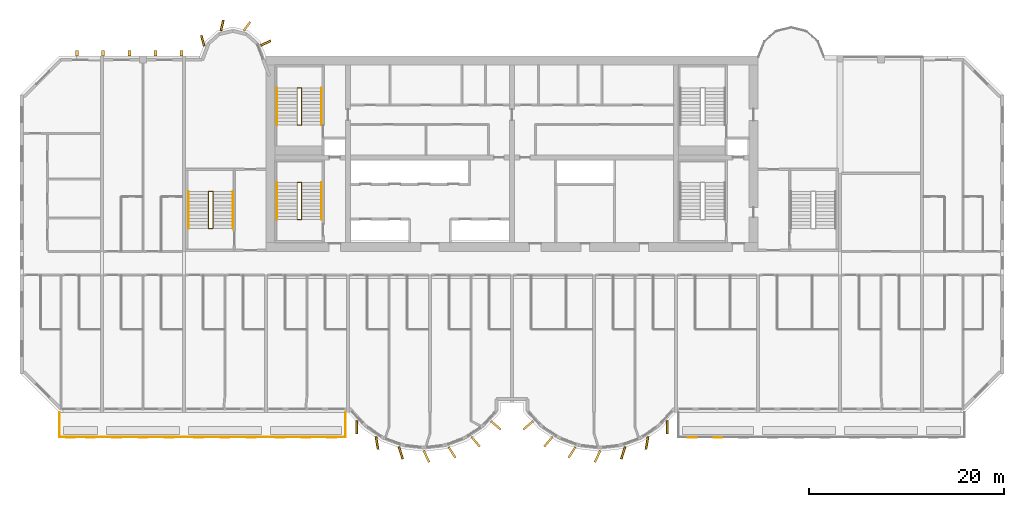
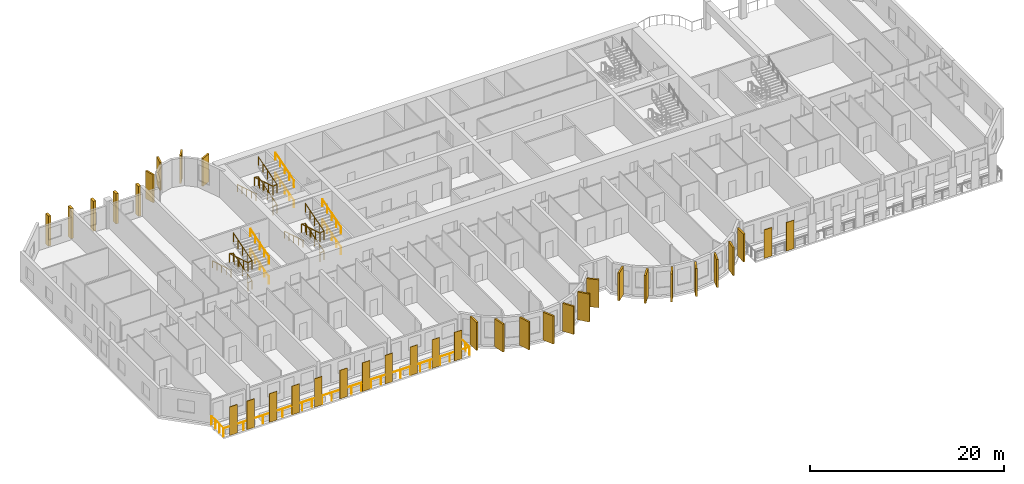
# One storey, part 13 of 15: 36 coverings, 13 railings.
"""IFC4 building model written with IfcOpenShell, lengths in metres."""

import ifcopenshell
import ifcopenshell.guid

model = None  # the IFC model being written
_history = None  # IfcOwnerHistory: only IFC2X3 demands one
_inside = {}  # id of a spatial element -> (the spatial element, [elements in it])
_under = {}  # id of a project, library or spatial element -> (it, [spatial elements below it])
_declared = {}  # id of a project -> (the project, [libraries it declares])
_typed = {}  # id of a type object -> (the type object, [elements of that type])
_made_of = {}  # id of a material, layer set ... -> (it, [elements and type objects made of it])


def new_model(schema):
    """Start an empty IFC model of exactly this schema.

    Asked for "IFC4X3", IfcOpenShell would pick the latest addendum, in which some entities
    have other attributes; the version numbers below select the first issue.
    IFC2X3 requires an IfcOwnerHistory on every rooted entity: one is made here for all.
    """
    global model, _history
    if schema == "IFC4X3":
        model = ifcopenshell.file(schema_version=(4, 3, 0, 0))
    else:
        model = ifcopenshell.file(schema=schema)
    _inside.clear()
    _under.clear()
    _declared.clear()
    _typed.clear()
    _made_of.clear()
    _history = None
    if model.schema == "IFC2X3":
        org = make("IfcOrganization", Name="unknown")
        user = make(
            "IfcPersonAndOrganization",
            ThePerson=make("IfcPerson", FamilyName="unknown"),
            TheOrganization=org,
        )
        app = make(
            "IfcApplication",
            ApplicationDeveloper=org,
            Version="unknown",
            ApplicationFullName="unknown",
            ApplicationIdentifier="unknown",
        )
        _history = make(
            "IfcOwnerHistory",
            OwningUser=user,
            OwningApplication=app,
            ChangeAction="ADDED",
            CreationDate=0,
        )
    return model


def make(cls, **values):
    """One entity of the class cls with the attributes given. An attribute that is None is left unset."""
    return model.create_entity(
        cls, **{name: value for name, value in values.items() if value is not None}
    )


def rooted(cls, **values):
    """An entity with a GlobalId (a new one), such as an element, a storey or a relation."""
    return make(cls, GlobalId=ifcopenshell.guid.new(), OwnerHistory=_history, **values)


def si_unit(unit_type, name, prefix=None):
    """IfcSIUnit, for example si_unit("LENGTHUNIT", "METRE", prefix="MILLI")."""
    return make("IfcSIUnit", UnitType=unit_type, Prefix=prefix, Name=name)


def assignment(units):
    """IfcUnitAssignment: the units of a project."""
    return None if units is None else make("IfcUnitAssignment", Units=units)


def point(xyz):
    """IfcCartesianPoint."""
    return None if xyz is None else make("IfcCartesianPoint", Coordinates=xyz)


def direction(xyz):
    """IfcDirection."""
    return None if xyz is None else make("IfcDirection", DirectionRatios=xyz)


def frame(location, z_axis=None, x_axis=None):
    """IfcAxis2Placement3D, a coordinate frame: its origin and axes. An axis left out is left unset."""
    return make(
        "IfcAxis2Placement3D",
        Location=point(location),
        Axis=direction(z_axis),
        RefDirection=direction(x_axis),
    )


def frame_2d(location, x_axis=None):
    """IfcAxis2Placement2D, a coordinate frame in the plane: its origin and x axis."""
    return make(
        "IfcAxis2Placement2D", Location=point(location), RefDirection=direction(x_axis)
    )


def origin():
    """The frame at (0, 0, 0) with its axes left unset."""
    return frame((0.0, 0.0, 0.0))


def origin_2d():
    """The frame at (0, 0) in the plane with its x axis left unset."""
    return frame_2d((0.0, 0.0))


def place(relative_to, where):
    """IfcLocalPlacement: puts the frame where relative to a parent placement (None: the world)."""
    return make(
        "IfcLocalPlacement", PlacementRelTo=relative_to, RelativePlacement=where
    )


def context(
    kind, dimensions, precision=None, world=None, true_north=None, identifier=None
):
    """IfcGeometricRepresentationContext, for example the 3D "Model" context."""
    return make(
        "IfcGeometricRepresentationContext",
        ContextIdentifier=identifier,
        ContextType=kind,
        CoordinateSpaceDimension=dimensions,
        Precision=precision,
        WorldCoordinateSystem=world,
        TrueNorth=true_north,
    )


def subcontext(parent, identifier, kind, view, scale=None):
    """IfcGeometricRepresentationSubContext, for example "Body" below "Model"."""
    return make(
        "IfcGeometricRepresentationSubContext",
        ContextIdentifier=identifier,
        ContextType=kind,
        ParentContext=parent,
        TargetScale=scale,
        TargetView=view,
    )


def project(units=None, contexts=None):
    """IfcProject with its units and contexts."""
    return rooted(
        "IfcProject",
        Name="project",
        RepresentationContexts=contexts,
        UnitsInContext=assignment(units),
    )


def spatial(cls, under=None, at=None, **own):
    """A site, building, storey or space (cls), placed at a placement, below another one or the project."""
    s = rooted(cls, ObjectPlacement=at, **own)
    if under is not None:
        _under.setdefault(under.id(), (under, []))[1].append(s)
    return s


def profile(cls, at=None, kind="AREA", **sizes):
    """A parametric profile (cls). Its sizes go by their IFC names, for example OverallWidth=200.0."""
    return make(cls, ProfileType=kind, Position=at, **sizes)


def rectangle(**sizes):
    """IfcRectangleProfileDef."""
    return profile("IfcRectangleProfileDef", **sizes)


def circle(**sizes):
    """IfcCircleProfileDef."""
    return profile("IfcCircleProfileDef", **sizes)


def extrude(swept, where, along, depth):
    """IfcExtrudedAreaSolid: the profile swept, set in the frame where, extruded along a direction by depth."""
    return make(
        "IfcExtrudedAreaSolid",
        SweptArea=swept,
        Position=where,
        ExtrudedDirection=direction(along),
        Depth=depth,
    )


def shape(context_of_items, identifier, shape_type, items):
    """IfcShapeRepresentation: the items that make up one representation, for example the "Body"."""
    return make(
        "IfcShapeRepresentation",
        ContextOfItems=context_of_items,
        RepresentationIdentifier=identifier,
        RepresentationType=shape_type,
        Items=items,
    )


def source(mapping_origin, context_of_items, identifier, shape_type, items):
    """IfcRepresentationMap: a shape defined once, which mapped items show again and again."""
    return make(
        "IfcRepresentationMap",
        MappingOrigin=mapping_origin,
        MappedRepresentation=shape(context_of_items, identifier, shape_type, items),
    )


def transform(
    local_origin,
    x_axis=None,
    y_axis=None,
    z_axis=None,
    scale=None,
    scale2=None,
    scale3=None,
    uniform=True,
):
    """IfcCartesianTransformationOperator3D, or its non-uniform kind. x_axis, y_axis, z_axis: its Axis1, 2, 3."""
    if uniform:
        return make(
            "IfcCartesianTransformationOperator3D",
            Axis1=direction(x_axis),
            Axis2=direction(y_axis),
            LocalOrigin=point(local_origin),
            Scale=scale,
            Axis3=direction(z_axis),
        )
    return make(
        "IfcCartesianTransformationOperator3DnonUniform",
        Axis1=direction(x_axis),
        Axis2=direction(y_axis),
        LocalOrigin=point(local_origin),
        Scale=scale,
        Axis3=direction(z_axis),
        Scale2=scale2,
        Scale3=scale3,
    )


def mapped(mapping_source, mapping_target):
    """IfcMappedItem: shows the shape of a source again, moved by a transform."""
    return make(
        "IfcMappedItem", MappingSource=mapping_source, MappingTarget=mapping_target
    )


def material(Name=None, Category=None):
    """IfcMaterial."""
    return make("IfcMaterial", Name=Name, Category=Category)


def layer(
    of_material, thickness, ventilated=None, Name=None, Category=None, Priority=None
):
    """IfcMaterialLayer: one layer of a wall or slab, of a material (None: an air gap)."""
    return make(
        "IfcMaterialLayer",
        Material=of_material,
        LayerThickness=thickness,
        IsVentilated=ventilated,
        Name=Name,
        Category=Category,
        Priority=Priority,
    )


def layer_set(layers, Name=None):
    """IfcMaterialLayerSet."""
    return make("IfcMaterialLayerSet", MaterialLayers=layers, LayerSetName=Name)


def material_profile(
    of_material, cross_section, Name=None, Category=None, Priority=None
):
    """IfcMaterialProfile: a cross section and its material."""
    return make(
        "IfcMaterialProfile",
        Name=Name,
        Material=of_material,
        Profile=cross_section,
        Priority=Priority,
        Category=Category,
    )


def profile_set(profiles, Name=None, composite=None):
    """IfcMaterialProfileSet."""
    return make(
        "IfcMaterialProfileSet",
        Name=Name,
        MaterialProfiles=profiles,
        CompositeProfile=composite,
    )


def made_of(thing, what):
    """Note that an element or type object is made of a material, layer set ...; save() writes the relation."""
    if what is not None:
        _made_of.setdefault(what.id(), (what, []))[1].append(thing)
    return thing


def type_object(cls, material=None, **own):
    """A type object (cls), such as IfcWallType, which elements share."""
    return made_of(rooted(cls, **own), material)


def element(
    cls,
    number,
    at=None,
    inside=None,
    cuts=None,
    type_object=None,
    material=None,
    context=None,
    identifier="Body",
    shape_type=None,
    held_by="IfcProductDefinitionShape",
    body=None,
    shapes=None,
    **own,
):
    """One element of the class cls, such as IfcWall. Its Tag is "e" and its number.

    at: its placement. inside: the storey or other place that contains it. cuts: it is an
    opening in that element (IfcRelVoidsElement). A single representation is given by context,
    identifier, shape_type and body (its items); several are given by shapes. held_by: the class
    of the entity that holds the representations. save() writes the other relations.
    """
    e = rooted(cls, Tag="e%d" % number, ObjectPlacement=at, **own)
    if body is not None:
        shapes = [shape(context, identifier, shape_type, body)]
    if shapes is not None:
        e.Representation = make(held_by, Representations=shapes)
    if inside is not None:
        _inside.setdefault(inside.id(), (inside, []))[1].append(e)
    if cuts is not None:
        rooted(
            "IfcRelVoidsElement", RelatingBuildingElement=cuts, RelatedOpeningElement=e
        )
    if type_object is not None:
        _typed.setdefault(type_object.id(), (type_object, []))[1].append(e)
    return made_of(e, material)


def aggregate(whole, parts):
    """IfcRelAggregates: a whole, such as a stair, and the parts it consists of."""
    return rooted("IfcRelAggregates", RelatingObject=whole, RelatedObjects=parts)


def save(model, path):
    """Write the relations noted so far, then the file.

    IfcRelAggregates (storeys below a building ...), IfcRelContainedInSpatialStructure (elements
    in a storey), IfcRelDefinesByType, IfcRelAssociatesMaterial and IfcRelDeclares: one each for
    every whole, place, type object, material and project.
    """
    for whole, parts in _under.values():
        aggregate(whole, parts)
    for where, things in _inside.values():
        rooted(
            "IfcRelContainedInSpatialStructure",
            RelatedElements=things,
            RelatingStructure=where,
        )
    for kind, things in _typed.values():
        rooted("IfcRelDefinesByType", RelatedObjects=things, RelatingType=kind)
    for what, things in _made_of.values():
        rooted("IfcRelAssociatesMaterial", RelatedObjects=things, RelatingMaterial=what)
    for by, libraries in _declared.values():
        rooted("IfcRelDeclares", RelatingContext=by, RelatedDefinitions=libraries)
    model.write(path)


model = new_model("IFC4")

# Units and contexts
model_context = context("Model", 3, precision=1e-05, world=origin(), true_north=direction((0.0, 1.0)))
body_context = subcontext(model_context, "Body", "Model", "MODEL_VIEW")
ifc_project = project(units=[si_unit("LENGTHUNIT", "METRE"), si_unit("AREAUNIT", "SQUARE_METRE"), si_unit("VOLUMEUNIT", "CUBIC_METRE"), si_unit("PLANEANGLEUNIT", "RADIAN"), si_unit("MASSUNIT", "GRAM", prefix="KILO")], contexts=[model_context])

# Site, building, storey
site_placement = place(None, origin())
site = spatial("IfcSite", under=ifc_project, at=site_placement, CompositionType="ELEMENT")
building_placement = place(site_placement, origin())
building = spatial("IfcBuilding", under=site, at=building_placement, Name="Vanashikhar Sky Hotel", CompositionType="ELEMENT")
storey_placement = place(building_placement, frame((0.0, 0.0, 106.60009765625)))
storey = spatial("IfcBuildingStorey", under=building, at=storey_placement, Name="L25", CompositionType="ELEMENT", Elevation=106.60009765625)

# Railing
ifc_material_1 = material(Name="Stainless steel 316", Category="steel")
railing_type_1 = type_object("IfcRailingType", Name="Balcony guard 1100", PredefinedType="GUARDRAIL", material=ifc_material_1)
shared_shape_1 = source(origin(), body_context, "Body", "SweptSolid", [
    extrude(circle(Radius=0.02392578125, at=origin_2d()), frame((0.0, 0.0, 1.076171875), z_axis=(0.0, -1.0, 0.0), x_axis=(1.0, 0.0, 0.0)), (0.0, 0.0, 1.0), 2.5),
    extrude(circle(Radius=0.02392578125, at=origin_2d()), frame((0.0, -2.5, 1.076171875), z_axis=(1.0, 0.0, 0.0), x_axis=(0.0, 1.0, 0.0)), (0.0, 0.0, 1.0), 29.280029296875),
    extrude(circle(Radius=0.02392578125, at=origin_2d()), frame((29.280029296875, -2.5, 1.076171875), z_axis=(0.0, 1.0, 0.0), x_axis=(-1.0, 0.0, 0.0)), (0.0, 0.0, 1.0), 2.5),
    extrude(circle(Radius=0.02099609375, at=origin_2d()), origin(), (0.0, 0.0, 1.0), 1.052001953125),
    extrude(circle(Radius=0.02099609375, at=origin_2d()), frame((0.0, -0.833251953125, 0.0)), (0.0, 0.0, 1.0), 1.052001953125),
    extrude(circle(Radius=0.02099609375, at=origin_2d()), frame((0.0, -1.666748046875, 0.0)), (0.0, 0.0, 1.0), 1.052001953125),
    extrude(circle(Radius=0.02099609375, at=origin_2d()), frame((0.0, -2.5, 0.0)), (0.0, 0.0, 1.0), 1.052001953125),
    extrude(circle(Radius=0.02099609375, at=origin_2d()), frame((1.171142578125, -2.5, 0.0)), (0.0, 0.0, 1.0), 1.052001953125),
    extrude(circle(Radius=0.02099609375, at=origin_2d()), frame((2.34228515625, -2.5, 0.0)), (0.0, 0.0, 1.0), 1.052001953125),
    extrude(circle(Radius=0.02099609375, at=origin_2d()), frame((3.513671875, -2.5, 0.0)), (0.0, 0.0, 1.0), 1.052001953125),
    extrude(circle(Radius=0.02099609375, at=origin_2d()), frame((4.684814453125, -2.5, 0.0)), (0.0, 0.0, 1.0), 1.052001953125),
    extrude(circle(Radius=0.02099609375, at=origin_2d()), frame((5.85595703125, -2.5, 0.0)), (0.0, 0.0, 1.0), 1.052001953125),
    extrude(circle(Radius=0.02099609375, at=origin_2d()), frame((7.027099609375, -2.5, 0.0)), (0.0, 0.0, 1.0), 1.052001953125),
    extrude(circle(Radius=0.02099609375, at=origin_2d()), frame((8.198486328125, -2.5, 0.0)), (0.0, 0.0, 1.0), 1.052001953125),
    extrude(circle(Radius=0.02099609375, at=origin_2d()), frame((9.36962890625, -2.5, 0.0)), (0.0, 0.0, 1.0), 1.052001953125),
    extrude(circle(Radius=0.02099609375, at=origin_2d()), frame((10.540771484375, -2.5, 0.0)), (0.0, 0.0, 1.0), 1.052001953125),
    extrude(circle(Radius=0.02099609375, at=origin_2d()), frame((11.7119140625, -2.5, 0.0)), (0.0, 0.0, 1.0), 1.052001953125),
    extrude(circle(Radius=0.02099609375, at=origin_2d()), frame((12.88330078125, -2.5, 0.0)), (0.0, 0.0, 1.0), 1.052001953125),
    extrude(circle(Radius=0.02099609375, at=origin_2d()), frame((14.054443359375, -2.5, 0.0)), (0.0, 0.0, 1.0), 1.052001953125),
    extrude(circle(Radius=0.02099609375, at=origin_2d()), frame((15.2255859375, -2.5, 0.0)), (0.0, 0.0, 1.0), 1.052001953125),
    extrude(circle(Radius=0.02099609375, at=origin_2d()), frame((16.396728515625, -2.5, 0.0)), (0.0, 0.0, 1.0), 1.052001953125),
    extrude(circle(Radius=0.02099609375, at=origin_2d()), frame((17.568115234375, -2.5, 0.0)), (0.0, 0.0, 1.0), 1.052001953125),
    extrude(circle(Radius=0.02099609375, at=origin_2d()), frame((18.7392578125, -2.5, 0.0)), (0.0, 0.0, 1.0), 1.052001953125),
    extrude(circle(Radius=0.02099609375, at=origin_2d()), frame((19.910400390625, -2.5, 0.0)), (0.0, 0.0, 1.0), 1.052001953125),
    extrude(circle(Radius=0.02099609375, at=origin_2d()), frame((21.08154296875, -2.5, 0.0)), (0.0, 0.0, 1.0), 1.052001953125),
    extrude(circle(Radius=0.02099609375, at=origin_2d()), frame((22.2529296875, -2.5, 0.0)), (0.0, 0.0, 1.0), 1.052001953125),
    extrude(circle(Radius=0.02099609375, at=origin_2d()), frame((23.424072265625, -2.5, 0.0)), (0.0, 0.0, 1.0), 1.052001953125),
    extrude(circle(Radius=0.02099609375, at=origin_2d()), frame((24.59521484375, -2.5, 0.0)), (0.0, 0.0, 1.0), 1.052001953125),
    extrude(circle(Radius=0.02099609375, at=origin_2d()), frame((25.766357421875, -2.5, 0.0)), (0.0, 0.0, 1.0), 1.052001953125),
    extrude(circle(Radius=0.02099609375, at=origin_2d()), frame((26.937744140625, -2.5, 0.0)), (0.0, 0.0, 1.0), 1.052001953125),
    extrude(circle(Radius=0.02099609375, at=origin_2d()), frame((28.10888671875, -2.5, 0.0)), (0.0, 0.0, 1.0), 1.052001953125),
    extrude(circle(Radius=0.02099609375, at=origin_2d()), frame((29.280029296875, -2.5, 0.0)), (0.0, 0.0, 1.0), 1.052001953125),
    extrude(circle(Radius=0.02099609375, at=origin_2d()), frame((29.280029296875, -1.666748046875, 0.0)), (0.0, 0.0, 1.0), 1.052001953125),
    extrude(circle(Radius=0.02099609375, at=origin_2d()), frame((29.280029296875, -0.833251953125, 0.0)), (0.0, 0.0, 1.0), 1.052001953125),
    extrude(circle(Radius=0.02099609375, at=origin_2d()), frame((29.280029296875, 0.0, 0.0)), (0.0, 0.0, 1.0), 1.052001953125),
])
railing_1_placement = place(storey_placement, frame((4.06005859375, 5.5, -0.050048828125)))
element("IfcRailing", 1, at=railing_1_placement, inside=storey, type_object=railing_type_1, Name="Balcony guard", PredefinedType="GUARDRAIL", context=body_context, shape_type="MappedRepresentation", body=[
    mapped(shared_shape_1, transform((0.0, 0.0, 0.0), scale=1.0)),
])

# Coverings
ifc_material_2 = material(Name="Terracotta", Category="masonry")
ifc_layer = layer(ifc_material_2, 0.06005859375)
ifc_layer_set = layer_set([ifc_layer], Name="Terracotta baguette screen")
covering_type_1 = type_object("IfcCoveringType", Name="Terracotta baguette screen", PredefinedType="CLADDING", material=ifc_layer_set)
shared_shape_2 = source(origin(), body_context, "Body", "SweptSolid", [
    extrude(rectangle(XDim=0.89990234375, YDim=0.06005859375, at=origin_2d()), origin(), (0.0, 0.0, 1.0), 3.60009765625),
])
for number, where, z_axis, x_axis, name in (
    (2, (5.175048828125, 2.929931640625, -0.050048828125), (0.0, 0.0, 1.0), (1.0, 0.0, 0.0), "Terracotta screen"),
    (3, (7.22509765625, 2.929931640625, -0.050048828125), (0.0, 0.0, 1.0), (1.0, 0.0, 0.0), "Terracotta screen"),
    (4, (9.89990234375, 2.929931640625, -0.050048828125), (0.0, 0.0, 1.0), (1.0, 0.0, 0.0), "Terracotta screen"),
    (5, (12.60009765625, 2.929931640625, -0.050048828125), (0.0, 0.0, 1.0), (1.0, 0.0, 0.0), "Terracotta screen"),
    (6, (15.300048828125, 2.929931640625, -0.050048828125), (0.0, 0.0, 1.0), (1.0, 0.0, 0.0), "Terracotta screen"),
    (7, (18.300048828125, 2.929931640625, -0.050048828125), (0.0, 0.0, 1.0), (1.0, 0.0, 0.0), "Terracotta screen"),
    (8, (21.0, 2.929931640625, -0.050048828125), (0.0, 0.0, 1.0), (1.0, 0.0, 0.0), "Terracotta screen"),
    (9, (23.699951171875, 2.929931640625, -0.050048828125), (0.0, 0.0, 1.0), (1.0, 0.0, 0.0), "Terracotta screen"),
    (10, (26.666748046875, 2.929931640625, -0.050048828125), (0.0, 0.0, 1.0), (1.0, 0.0, 0.0), "Terracotta screen"),
    (11, (29.300048828125, 2.929931640625, -0.050048828125), (0.0, 0.0, 1.0), (1.0, 0.0, 0.0), "Terracotta screen"),
    (12, (31.933349609375, 2.929931640625, -0.050048828125), (0.0, 0.0, 1.0), (1.0, 0.0, 0.0), "Terracotta screen"),
    (13, (68.86669921875, 2.929931640625, -0.050048828125), (0.0, 0.0, 1.0), (1.0, 0.0, 0.0), "Terracotta screen"),
    (14, (71.5, 2.929931640625, -0.050048828125), (0.0, 0.0, 1.0), (1.0, 0.0, 0.0), "Terracotta screen"),
):
    element("IfcCovering", number, at=place(storey_placement, frame(where, z_axis=z_axis, x_axis=x_axis)), inside=storey, type_object=covering_type_1, Name=name, PredefinedType="CLADDING", context=body_context, shape_type="MappedRepresentation", body=[
        mapped(shared_shape_2, transform((0.0, 0.0, 0.0), scale=1.0)),
    ])
ifc_material_3 = material(Name="Concrete M60 dark", Category="concrete")
ifc_material_profile_1 = material_profile(ifc_material_3, rectangle(XDim=1.300048828125, YDim=0.199951171875, at=origin_2d()))
ifc_profile_set_1 = profile_set([ifc_material_profile_1], Name="Fin 1300 x 200")
covering_type_2 = type_object("IfcCoveringType", Name="Fin 1300 x 200", PredefinedType="CLADDING", material=ifc_profile_set_1)
shared_shape_3 = source(origin(), body_context, "Body", "SweptSolid", [
    extrude(rectangle(XDim=1.300048828125, YDim=0.199951171875, at=origin_2d()), origin(), (0.0, 0.0, 1.0), 3.52001953125),
])
for number, where, z_axis, x_axis, name in (
    (15, (34.482421875, 3.992919921875, 0.0), (0.0, 0.0, 1.0), (0.011588726826, -0.999932848451, 0.0), "Fin F1-1"),
    (16, (36.572509765625, 2.3779296875, 0.0), (0.0, 0.0, 1.0), (0.16989991575, -0.985461322746, 0.0), "Fin F1-2"),
    (17, (39.00830078125, 1.35693359375, 0.0), (0.0, 0.0, 1.0), (0.303966551867, -0.952682704444, 0.0), "Fin F1-3"),
    (18, (41.63232421875, 1.00146484375, 0.0), (0.0, 0.0, 1.0), (0.422618261741, -0.906307787037, 0.0), "Fin F1-4"),
    (19, (44.251953125, 1.416015625, 0.0), (0.0, 0.0, 1.0), (0.534411358496, -0.845224526331, 0.0), "Fin F1-5"),
    (20, (46.676025390625, 2.5, 0.0), (0.0, 0.0, 1.0), (0.645697609467, -0.763593214433, 0.0), "Fin F1-6"),
    (21, (48.7412109375, 4.1845703125, 0.0), (0.0, 0.0, 1.0), (0.758543912032, -0.65162192529, 0.0), "Fin F1-7"),
    (22, (52.058837890625, 4.1845703125, 0.0), (0.0, 0.0, 1.0), (-0.758543912032, -0.65162192529, 0.0), "Fin F2-1"),
    (23, (54.123779296875, 2.5, 0.0), (0.0, 0.0, 1.0), (-0.645697609467, -0.763593214433, 0.0), "Fin F2-2"),
    (24, (56.547119140625, 1.416015625, 0.0), (0.0, 0.0, 1.0), (-0.534411358496, -0.845224526331, 0.0), "Fin F2-3"),
    (25, (59.16748046875, 1.00146484375, 0.0), (0.0, 0.0, 1.0), (-0.422618261741, -0.906307787037, 0.0), "Fin F2-4"),
    (26, (61.790771484375, 1.35693359375, 0.0), (0.0, 0.0, 1.0), (-0.303966551867, -0.952682704444, 0.0), "Fin F2-5"),
    (27, (64.2275390625, 2.3779296875, 0.0), (0.0, 0.0, 1.0), (-0.16989991575, -0.985461322746, 0.0), "Fin F2-6"),
    (28, (66.317626953125, 3.992919921875, 0.0), (0.0, 0.0, 1.0), (-0.011588726826, -0.999932848451, 0.0), "Fin F2-7"),
):
    element("IfcCovering", number, at=place(storey_placement, frame(where, z_axis=z_axis, x_axis=x_axis)), inside=storey, type_object=covering_type_2, Name=name, PredefinedType="CLADDING", context=body_context, shape_type="MappedRepresentation", body=[
        mapped(shared_shape_3, transform((0.0, 0.0, 0.0), scale=1.0)),
    ])
ifc_material_profile_2 = material_profile(ifc_material_3, rectangle(XDim=1.10009765625, YDim=0.199951171875, at=origin_2d()))
ifc_profile_set_2 = profile_set([ifc_material_profile_2], Name="Rear lobe fin 1100 x 200")
covering_type_3 = type_object("IfcCoveringType", Name="Rear lobe fin 1100 x 200", PredefinedType="CLADDING", material=ifc_profile_set_2)
shared_shape_4 = source(origin(), body_context, "Body", "SweptSolid", [
    extrude(rectangle(XDim=1.10009765625, YDim=0.199951171875, at=origin_2d()), origin(), (0.0, 0.0, 1.0), 3.52001953125),
])
for number, where, z_axis, x_axis, name in (
    (29, (18.720703125, 43.580078125, 0.0), (0.0, 0.0, 1.0), (-0.262711264409, 0.964874495234, 0.0), "Fin R1-1"),
    (30, (20.710205078125, 45.1455078125, 0.0), (0.0, 0.0, 1.0), (0.224644935864, 0.974440687159, 0.0), "Fin R1-2"),
    (31, (23.261962890625, 45.06640625, 0.0), (0.0, 0.0, 1.0), (0.602065892195, 0.798446404874, 0.0), "Fin R1-3"),
    (32, (25.169677734375, 43.33447265625, 0.0), (0.0, 0.0, 1.0), (0.908004291068, 0.418960866193, 0.0), "Fin R1-4"),
):
    element("IfcCovering", number, at=place(storey_placement, frame(where, z_axis=z_axis, x_axis=x_axis)), inside=storey, type_object=covering_type_3, Name=name, PredefinedType="CLADDING", context=body_context, shape_type="MappedRepresentation", body=[
        mapped(shared_shape_4, transform((0.0, 0.0, 0.0), scale=1.0)),
    ])
ifc_material_profile_3 = material_profile(ifc_material_3, rectangle(XDim=0.60009765625, YDim=0.300048828125, at=origin_2d()))
ifc_profile_set_3 = profile_set([ifc_material_profile_3], Name="Rear rib 600 x 300")
covering_type_4 = type_object("IfcCoveringType", Name="Rear rib 600 x 300", PredefinedType="CLADDING", material=ifc_profile_set_3)
shared_shape_5 = source(origin(), body_context, "Body", "SweptSolid", [
    extrude(rectangle(XDim=0.60009765625, YDim=0.300048828125, at=origin_2d()), origin(), (0.0, 0.0, 1.0), 3.800048828125),
])
for number, where, z_axis, x_axis, name in (
    (33, (5.840087890625, 42.300048828125, -0.280029296875), (0.0, 0.0, 1.0), (0.0, 1.0, 0.0), "Rear rib"),
    (34, (8.52001953125, 42.300048828125, -0.280029296875), (0.0, 0.0, 1.0), (0.0, 1.0, 0.0), "Rear rib"),
    (35, (11.199951171875, 42.300048828125, -0.280029296875), (0.0, 0.0, 1.0), (0.0, 1.0, 0.0), "Rear rib"),
    (36, (13.8798828125, 42.300048828125, -0.280029296875), (0.0, 0.0, 1.0), (0.0, 1.0, 0.0), "Rear rib"),
    (37, (16.56005859375, 42.300048828125, -0.280029296875), (0.0, 0.0, 1.0), (0.0, 1.0, 0.0), "Rear rib"),
):
    element("IfcCovering", number, at=place(storey_placement, frame(where, z_axis=z_axis, x_axis=x_axis)), inside=storey, type_object=covering_type_4, Name=name, PredefinedType="CLADDING", context=body_context, shape_type="MappedRepresentation", body=[
        mapped(shared_shape_5, transform((0.0, 0.0, 0.0), scale=1.0)),
    ])

# Railings
ifc_material_4 = material(Name="Steel S355", Category="steel")
railing_type_2 = type_object("IfcRailingType", Name="Stair handrail 900", PredefinedType="HANDRAIL", material=ifc_material_4)
shared_shape_6 = source(origin(), body_context, "Body", "SweptSolid", [
    extrude(circle(Radius=0.02392578125, at=origin_2d()), frame((0.0, 0.0, 0.8759765625), z_axis=(0.0, 0.95635109408, 0.292220096591), x_axis=(-1.0, 0.0, 0.0)), (0.0, 0.0, 1.0), 3.973388671875),
    extrude(circle(Radius=0.02099609375, at=origin_2d()), origin(), (0.0, 0.0, 1.0), 0.851806640625),
    extrude(circle(Radius=0.02099609375, at=origin_2d()), frame((0.0, 0.949951171875, 0.290283203125)), (0.0, 0.0, 1.0), 0.851806640625),
    extrude(circle(Radius=0.02099609375, at=origin_2d()), frame((0.0, 1.89990234375, 0.58056640625)), (0.0, 0.0, 1.0), 0.851806640625),
    extrude(circle(Radius=0.02099609375, at=origin_2d()), frame((0.0, 2.85009765625, 0.870849609375)), (0.0, 0.0, 1.0), 0.851806640625),
    extrude(circle(Radius=0.02099609375, at=origin_2d()), frame((0.0, 3.800048828125, 1.1611328125)), (0.0, 0.0, 1.0), 0.851806640625),
])
for number, where, name in (
    (38, (30.89990234375, 25.25, 0.10546875), "Exit stair 1 handrail"),
    (39, (30.89990234375, 25.25, 2.638671875), "Exit stair 1 handrail"),
    (40, (30.89990234375, 34.949951171875, 0.10546875), "Exit stair 5 handrail"),
    (41, (30.89990234375, 34.949951171875, 2.638671875), "Exit stair 5 handrail"),
):
    element("IfcRailing", number, at=place(storey_placement, frame(where)), inside=storey, type_object=railing_type_2, Name=name, PredefinedType="HANDRAIL", context=body_context, shape_type="MappedRepresentation", body=[
        mapped(shared_shape_6, transform((0.0, 0.0, 0.0), scale=1.0)),
    ])
shared_shape_7 = source(origin(), body_context, "Body", "SweptSolid", [
    extrude(circle(Radius=0.02392578125, at=origin_2d()), frame((0.0, 0.0, 0.8759765625), z_axis=(0.0, -0.95635109408, 0.292220096591), x_axis=(1.0, 0.0, 0.0)), (0.0, 0.0, 1.0), 3.973388671875),
    extrude(circle(Radius=0.02099609375, at=origin_2d()), origin(), (0.0, 0.0, 1.0), 0.851806640625),
    extrude(circle(Radius=0.02099609375, at=origin_2d()), frame((0.0, -0.949951171875, 0.290283203125)), (0.0, 0.0, 1.0), 0.851806640625),
    extrude(circle(Radius=0.02099609375, at=origin_2d()), frame((0.0, -1.89990234375, 0.58056640625)), (0.0, 0.0, 1.0), 0.851806640625),
    extrude(circle(Radius=0.02099609375, at=origin_2d()), frame((0.0, -2.85009765625, 0.870849609375)), (0.0, 0.0, 1.0), 0.851806640625),
    extrude(circle(Radius=0.02099609375, at=origin_2d()), frame((0.0, -3.800048828125, 1.1611328125)), (0.0, 0.0, 1.0), 0.851806640625),
])
for number, where, name in (
    (42, (26.35009765625, 29.050048828125, 1.3720703125), "Exit stair 1 handrail"),
    (43, (26.35009765625, 38.75, 1.3720703125), "Exit stair 5 handrail"),
):
    element("IfcRailing", number, at=place(storey_placement, frame(where)), inside=storey, type_object=railing_type_2, Name=name, PredefinedType="HANDRAIL", context=body_context, shape_type="MappedRepresentation", body=[
        mapped(shared_shape_7, transform((0.0, 0.0, 0.0), scale=1.0)),
    ])
railing_type_3 = type_object("IfcRailingType", Name="Stair guard 1100", PredefinedType="GUARDRAIL", material=ifc_material_4)
shared_shape_8 = source(origin(), body_context, "Body", "SweptSolid", [
    extrude(circle(Radius=0.02392578125, at=origin_2d()), frame((0.0, 0.0, 1.076171875), z_axis=(0.973638301096, 0.0, 0.228097476179), x_axis=(0.0, 1.0, 0.0)), (0.0, 0.0, 1.0), 0.46240234375),
    extrude(circle(Radius=0.02392578125, at=origin_2d()), frame((0.4501953125, 0.0, 1.181640625), z_axis=(0.0, 0.95635109408, 0.292220096591), x_axis=(-1.0, 0.0, 0.0)), (0.0, 0.0, 1.0), 3.973388671875),
    extrude(circle(Radius=0.02392578125, at=origin_2d()), frame((0.4501953125, 3.800048828125, 2.3427734375), z_axis=(-0.973638301096, 0.0, 0.228097476179), x_axis=(0.0, -1.0, 0.0)), (0.0, 0.0, 1.0), 0.46240234375),
    extrude(circle(Radius=0.02392578125, at=origin_2d()), frame((0.0, 3.800048828125, 2.4482421875), z_axis=(0.0, -0.95635109408, 0.292220096591), x_axis=(1.0, 0.0, 0.0)), (0.0, 0.0, 1.0), 3.973388671875),
    extrude(circle(Radius=0.02392578125, at=origin_2d()), frame((0.0, 0.0, 3.609375), z_axis=(0.973638301096, 0.0, 0.228097476179), x_axis=(0.0, 1.0, 0.0)), (0.0, 0.0, 1.0), 0.46240234375),
    extrude(circle(Radius=0.02392578125, at=origin_2d()), frame((0.4501953125, 0.0, 3.71484375), z_axis=(0.0, 0.95635109408, 0.292220096591), x_axis=(-1.0, 0.0, 0.0)), (0.0, 0.0, 1.0), 3.973388671875),
    extrude(circle(Radius=0.02099609375, at=origin_2d()), origin(), (0.0, 0.0, 1.0), 1.052001953125),
    extrude(circle(Radius=0.02099609375, at=origin_2d()), frame((0.4501953125, 0.0, 0.10546875)), (0.0, 0.0, 1.0), 1.052001953125),
    extrude(circle(Radius=0.02099609375, at=origin_2d()), frame((0.4501953125, 0.949951171875, 0.395751953125)), (0.0, 0.0, 1.0), 1.052001953125),
    extrude(circle(Radius=0.02099609375, at=origin_2d()), frame((0.4501953125, 1.89990234375, 0.68603515625)), (0.0, 0.0, 1.0), 1.052001953125),
    extrude(circle(Radius=0.02099609375, at=origin_2d()), frame((0.4501953125, 2.85009765625, 0.976318359375)), (0.0, 0.0, 1.0), 1.052001953125),
    extrude(circle(Radius=0.02099609375, at=origin_2d()), frame((0.4501953125, 3.800048828125, 1.2666015625)), (0.0, 0.0, 1.0), 1.052001953125),
    extrude(circle(Radius=0.02099609375, at=origin_2d()), frame((0.0, 3.800048828125, 1.3720703125)), (0.0, 0.0, 1.0), 1.052001953125),
    extrude(circle(Radius=0.02099609375, at=origin_2d()), frame((0.0, 2.85009765625, 1.662353515625)), (0.0, 0.0, 1.0), 1.052001953125),
    extrude(circle(Radius=0.02099609375, at=origin_2d()), frame((0.0, 1.89990234375, 1.95263671875)), (0.0, 0.0, 1.0), 1.052001953125),
    extrude(circle(Radius=0.02099609375, at=origin_2d()), frame((0.0, 0.949951171875, 2.242919921875)), (0.0, 0.0, 1.0), 1.052001953125),
    extrude(circle(Radius=0.02099609375, at=origin_2d()), frame((0.0, 0.0, 2.533203125)), (0.0, 0.0, 1.0), 1.052001953125),
    extrude(circle(Radius=0.02099609375, at=origin_2d()), frame((0.4501953125, 0.0, 2.638671875)), (0.0, 0.0, 1.0), 1.052001953125),
    extrude(circle(Radius=0.02099609375, at=origin_2d()), frame((0.4501953125, 0.949951171875, 2.928955078125)), (0.0, 0.0, 1.0), 1.052001953125),
    extrude(circle(Radius=0.02099609375, at=origin_2d()), frame((0.4501953125, 1.89990234375, 3.21923828125)), (0.0, 0.0, 1.0), 1.052001953125),
    extrude(circle(Radius=0.02099609375, at=origin_2d()), frame((0.4501953125, 2.85009765625, 3.509521484375)), (0.0, 0.0, 1.0), 1.052001953125),
    extrude(circle(Radius=0.02099609375, at=origin_2d()), frame((0.4501953125, 3.800048828125, 3.7998046875)), (0.0, 0.0, 1.0), 1.052001953125),
])
for number, where, name in (
    (44, (28.39990234375, 25.25, 0.0), "Exit stair 1 guard"),
    (45, (28.39990234375, 34.949951171875, 0.0), "Exit stair 5 guard"),
):
    element("IfcRailing", number, at=place(storey_placement, frame(where)), inside=storey, type_object=railing_type_3, Name=name, PredefinedType="GUARDRAIL", context=body_context, shape_type="MappedRepresentation", body=[
        mapped(shared_shape_8, transform((0.0, 0.0, 0.0), scale=1.0)),
    ])
shared_shape_9 = source(origin(), body_context, "Body", "SweptSolid", [
    extrude(circle(Radius=0.02392578125, at=origin_2d()), frame((0.0, 0.0, 0.8759765625), z_axis=(0.0, 0.956345846891, 0.292237268557), x_axis=(-1.0, 0.0, 0.0)), (0.0, 0.0, 1.0), 3.97314453125),
    extrude(circle(Radius=0.02099609375, at=origin_2d()), origin(), (0.0, 0.0, 1.0), 0.851806640625),
    extrude(circle(Radius=0.02099609375, at=origin_2d()), frame((0.0, 0.949951171875, 0.290283203125)), (0.0, 0.0, 1.0), 0.851806640625),
    extrude(circle(Radius=0.02099609375, at=origin_2d()), frame((0.0, 1.89990234375, 0.58056640625)), (0.0, 0.0, 1.0), 0.851806640625),
    extrude(circle(Radius=0.02099609375, at=origin_2d()), frame((0.0, 2.849853515625, 0.870849609375)), (0.0, 0.0, 1.0), 0.851806640625),
    extrude(circle(Radius=0.02099609375, at=origin_2d()), frame((0.0, 3.7998046875, 1.1611328125)), (0.0, 0.0, 1.0), 0.851806640625),
])
for number, where, name in (
    (46, (21.800048828125, 24.35009765625, 0.10546875), "Exit stair 3 handrail"),
    (47, (21.800048828125, 24.35009765625, 2.638671875), "Exit stair 3 handrail"),
):
    element("IfcRailing", number, at=place(storey_placement, frame(where)), inside=storey, type_object=railing_type_2, Name=name, PredefinedType="HANDRAIL", context=body_context, shape_type="MappedRepresentation", body=[
        mapped(shared_shape_9, transform((0.0, 0.0, 0.0), scale=1.0)),
    ])
shared_shape_10 = source(origin(), body_context, "Body", "SweptSolid", [
    extrude(circle(Radius=0.02392578125, at=origin_2d()), frame((0.0, 0.0, 0.8759765625), z_axis=(0.0, -0.956345846891, 0.292237268557), x_axis=(1.0, 0.0, 0.0)), (0.0, 0.0, 1.0), 3.97314453125),
    extrude(circle(Radius=0.02099609375, at=origin_2d()), origin(), (0.0, 0.0, 1.0), 0.851806640625),
    extrude(circle(Radius=0.02099609375, at=origin_2d()), frame((0.0, -0.949951171875, 0.290283203125)), (0.0, 0.0, 1.0), 0.851806640625),
    extrude(circle(Radius=0.02099609375, at=origin_2d()), frame((0.0, -1.89990234375, 0.58056640625)), (0.0, 0.0, 1.0), 0.851806640625),
    extrude(circle(Radius=0.02099609375, at=origin_2d()), frame((0.0, -2.849853515625, 0.870849609375)), (0.0, 0.0, 1.0), 0.851806640625),
    extrude(circle(Radius=0.02099609375, at=origin_2d()), frame((0.0, -3.7998046875, 1.1611328125)), (0.0, 0.0, 1.0), 0.851806640625),
])
railing_2_placement = place(storey_placement, frame((17.25, 28.14990234375, 1.3720703125)))
element("IfcRailing", 48, at=railing_2_placement, inside=storey, type_object=railing_type_2, Name="Exit stair 3 handrail", PredefinedType="HANDRAIL", context=body_context, shape_type="MappedRepresentation", body=[
    mapped(shared_shape_10, transform((0.0, 0.0, 0.0), scale=1.0)),
])
shared_shape_11 = source(origin(), body_context, "Body", "SweptSolid", [
    extrude(circle(Radius=0.02392578125, at=origin_2d()), frame((0.0, 0.0, 1.076171875), z_axis=(0.973610808694, 0.0, 0.228214796178), x_axis=(0.0, 1.0, 0.0)), (0.0, 0.0, 1.0), 0.462158203125),
    extrude(circle(Radius=0.02392578125, at=origin_2d()), frame((0.449951171875, 0.0, 1.181640625), z_axis=(0.0, 0.956345846891, 0.292237268557), x_axis=(-1.0, 0.0, 0.0)), (0.0, 0.0, 1.0), 3.97314453125),
    extrude(circle(Radius=0.02392578125, at=origin_2d()), frame((0.449951171875, 3.7998046875, 2.3427734375), z_axis=(-0.973610808694, 0.0, 0.228214796178), x_axis=(0.0, -1.0, 0.0)), (0.0, 0.0, 1.0), 0.462158203125),
    extrude(circle(Radius=0.02392578125, at=origin_2d()), frame((0.0, 3.7998046875, 2.4482421875), z_axis=(0.0, -0.956345846891, 0.292237268557), x_axis=(1.0, 0.0, 0.0)), (0.0, 0.0, 1.0), 3.97314453125),
    extrude(circle(Radius=0.02392578125, at=origin_2d()), frame((0.0, 0.0, 3.609375), z_axis=(0.973610808694, 0.0, 0.228214796178), x_axis=(0.0, 1.0, 0.0)), (0.0, 0.0, 1.0), 0.462158203125),
    extrude(circle(Radius=0.02392578125, at=origin_2d()), frame((0.449951171875, 0.0, 3.71484375), z_axis=(0.0, 0.956345846891, 0.292237268557), x_axis=(-1.0, 0.0, 0.0)), (0.0, 0.0, 1.0), 3.97314453125),
    extrude(circle(Radius=0.02099609375, at=origin_2d()), origin(), (0.0, 0.0, 1.0), 1.052001953125),
    extrude(circle(Radius=0.02099609375, at=origin_2d()), frame((0.449951171875, 0.0, 0.10546875)), (0.0, 0.0, 1.0), 1.052001953125),
    extrude(circle(Radius=0.02099609375, at=origin_2d()), frame((0.449951171875, 0.949951171875, 0.395751953125)), (0.0, 0.0, 1.0), 1.052001953125),
    extrude(circle(Radius=0.02099609375, at=origin_2d()), frame((0.449951171875, 1.89990234375, 0.68603515625)), (0.0, 0.0, 1.0), 1.052001953125),
    extrude(circle(Radius=0.02099609375, at=origin_2d()), frame((0.449951171875, 2.849853515625, 0.976318359375)), (0.0, 0.0, 1.0), 1.052001953125),
    extrude(circle(Radius=0.02099609375, at=origin_2d()), frame((0.449951171875, 3.7998046875, 1.2666015625)), (0.0, 0.0, 1.0), 1.052001953125),
    extrude(circle(Radius=0.02099609375, at=origin_2d()), frame((0.0, 3.7998046875, 1.3720703125)), (0.0, 0.0, 1.0), 1.052001953125),
    extrude(circle(Radius=0.02099609375, at=origin_2d()), frame((0.0, 2.849853515625, 1.662353515625)), (0.0, 0.0, 1.0), 1.052001953125),
    extrude(circle(Radius=0.02099609375, at=origin_2d()), frame((0.0, 1.89990234375, 1.95263671875)), (0.0, 0.0, 1.0), 1.052001953125),
    extrude(circle(Radius=0.02099609375, at=origin_2d()), frame((0.0, 0.949951171875, 2.242919921875)), (0.0, 0.0, 1.0), 1.052001953125),
    extrude(circle(Radius=0.02099609375, at=origin_2d()), frame((0.0, 0.0, 2.533203125)), (0.0, 0.0, 1.0), 1.052001953125),
    extrude(circle(Radius=0.02099609375, at=origin_2d()), frame((0.449951171875, 0.0, 2.638671875)), (0.0, 0.0, 1.0), 1.052001953125),
    extrude(circle(Radius=0.02099609375, at=origin_2d()), frame((0.449951171875, 0.949951171875, 2.928955078125)), (0.0, 0.0, 1.0), 1.052001953125),
    extrude(circle(Radius=0.02099609375, at=origin_2d()), frame((0.449951171875, 1.89990234375, 3.21923828125)), (0.0, 0.0, 1.0), 1.052001953125),
    extrude(circle(Radius=0.02099609375, at=origin_2d()), frame((0.449951171875, 2.849853515625, 3.509521484375)), (0.0, 0.0, 1.0), 1.052001953125),
    extrude(circle(Radius=0.02099609375, at=origin_2d()), frame((0.449951171875, 3.7998046875, 3.7998046875)), (0.0, 0.0, 1.0), 1.052001953125),
])
railing_3_placement = place(storey_placement, frame((19.300048828125, 24.35009765625, 0.0)))
element("IfcRailing", 49, at=railing_3_placement, inside=storey, type_object=railing_type_3, Name="Exit stair 3 guard", PredefinedType="GUARDRAIL", context=body_context, shape_type="MappedRepresentation", body=[
    mapped(shared_shape_11, transform((0.0, 0.0, 0.0), scale=1.0)),
])

save(model, "model.ifc")
